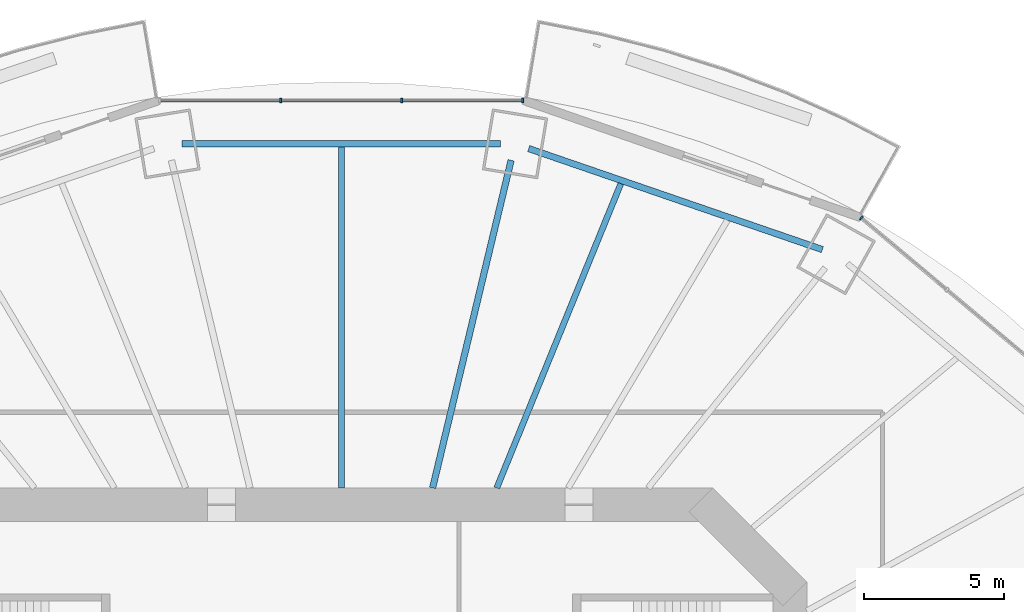
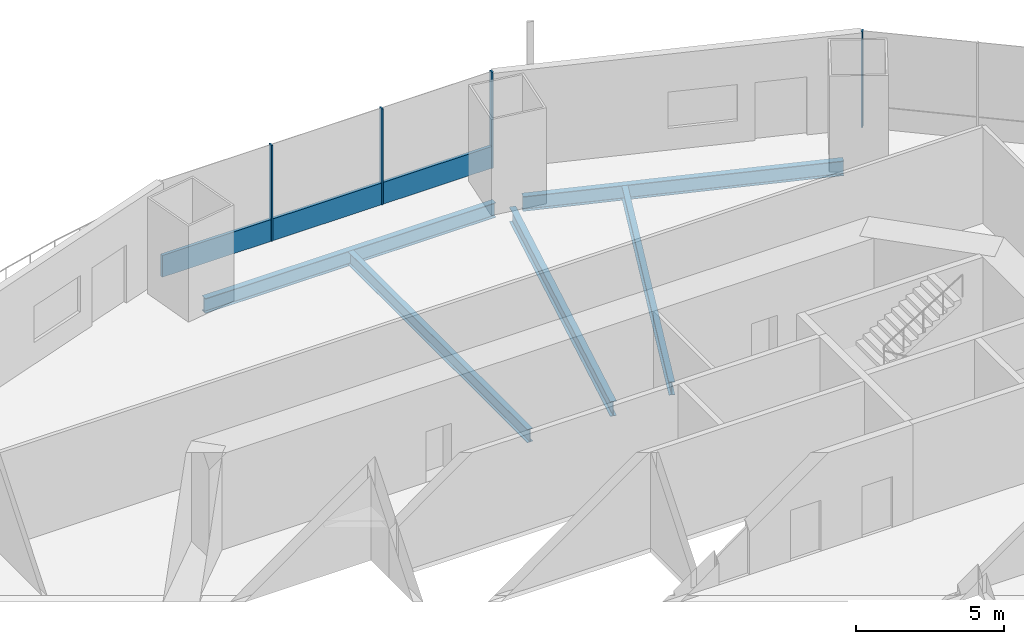
# One storey, part 9 of 20: 5 beams, 5 members, 2 elements without a shape of their own.
"""IFC4 building model written with IfcOpenShell, lengths in metres."""

from ifc_helpers import new_model, si_unit, direction, frame, origin, origin_2d, place, context, subcontext, project, spatial, rectangle, i_section, extrude, material, material_profile, profile_set, type_object, element, aggregate, save


model = new_model("IFC4")

# Units and contexts
model_context = context("Model", 3, precision=1e-05, world=origin(), true_north=direction((0.0, 1.0)))
body_context = subcontext(model_context, "Body", "Model", "MODEL_VIEW")
ifc_project = project(units=[si_unit("LENGTHUNIT", "METRE"), si_unit("AREAUNIT", "SQUARE_METRE"), si_unit("VOLUMEUNIT", "CUBIC_METRE"), si_unit("PLANEANGLEUNIT", "RADIAN"), si_unit("MASSUNIT", "GRAM", prefix="KILO")], contexts=[model_context])

# Site, building, storey
site_placement = place(None, origin())
site = spatial("IfcSite", under=ifc_project, at=site_placement, CompositionType="ELEMENT")
building_placement = place(site_placement, origin())
building = spatial("IfcBuilding", under=site, at=building_placement, Name="Marenthal Gate Tower", CompositionType="ELEMENT")
storey_placement = place(building_placement, frame((0.0, 0.0, 136.75)))
storey = spatial("IfcBuildingStorey", under=building, at=storey_placement, Name="L29", CompositionType="ELEMENT", Elevation=136.75)

# Curtain wall, member
ifc_material_1 = material(Name="Aluminium and glass", Category="aluminium")
curtain_wall_type = type_object("IfcCurtainWallType", Name="Curtain wall typical low", PredefinedType="NOTDEFINED", material=ifc_material_1)
curtain_wall_1_placement = place(storey_placement, origin())
curtain_wall_1 = element("IfcCurtainWall", 1, at=curtain_wall_1_placement, inside=storey, type_object=curtain_wall_type, Name="Curtain wall L29 bay 2", PredefinedType="NOTDEFINED")
ifc_material_2 = material(Name="Aluminium", Category="aluminium")
ifc_material_profile_1 = material_profile(ifc_material_2, rectangle(XDim=0.159912109375, YDim=0.06005859375, at=origin_2d()), Name="60x160 aluminium mullion")
ifc_profile_set_1 = profile_set([ifc_material_profile_1], Name="Aluminium")
member_type_1 = type_object("IfcMemberType", Name="Mullion 60x160 typical low", PredefinedType="MULLION", material=ifc_profile_set_1)
member_1_placement = place(storey_placement, frame((18.546875, 23.22607421875, 0.0), z_axis=(0.0, 0.0, 1.0), x_axis=(-0.642510826857, -0.766276606305, 0.0)))
member_1 = element("IfcMember", 2, at=member_1_placement, type_object=member_type_1, Name="Mullion L29 bay 2.4", PredefinedType="MULLION", context=body_context, shape_type="SweptSolid", body=[
    extrude(rectangle(XDim=0.159912109375, YDim=0.06005859375, at=origin_2d()), origin(), (0.0, 0.0, 1.0), 3.969970703125),
])
aggregate(curtain_wall_1, [member_1])

# Curtain wall, members
curtain_wall_2_placement = place(storey_placement, origin())
curtain_wall_2 = element("IfcCurtainWall", 3, at=curtain_wall_2_placement, inside=storey, type_object=curtain_wall_type, Name="Curtain wall L29 bay 4", PredefinedType="NOTDEFINED")
member_2_placement = place(storey_placement, frame((6.474609375, 27.419921875, 0.0), z_axis=(0.0, 0.0, 1.0), x_axis=(0.0, -1.0, 0.0)))
member_2 = element("IfcMember", 4, at=member_2_placement, type_object=member_type_1, Name="Mullion L29 bay 4.1", PredefinedType="MULLION", context=body_context, shape_type="SweptSolid", body=[
    extrude(rectangle(XDim=0.159912109375, YDim=0.06005859375, at=origin_2d()), origin(), (0.0, 0.0, 1.0), 3.969970703125),
])
member_3_placement = place(storey_placement, frame((2.158203125, 27.419921875, 0.0), z_axis=(0.0, 0.0, 1.0), x_axis=(0.0, -1.0, 0.0)))
member_3 = element("IfcMember", 5, at=member_3_placement, type_object=member_type_1, Name="Mullion L29 bay 4.2", PredefinedType="MULLION", context=body_context, shape_type="SweptSolid", body=[
    extrude(rectangle(XDim=0.159912109375, YDim=0.06005859375, at=origin_2d()), origin(), (0.0, 0.0, 1.0), 3.969970703125),
])
member_4_placement = place(storey_placement, frame((-2.158203125, 27.419921875, 0.0), z_axis=(0.0, 0.0, 1.0), x_axis=(0.0, -1.0, 0.0)))
member_4 = element("IfcMember", 6, at=member_4_placement, type_object=member_type_1, Name="Mullion L29 bay 4.3", PredefinedType="MULLION", context=body_context, shape_type="SweptSolid", body=[
    extrude(rectangle(XDim=0.159912109375, YDim=0.06005859375, at=origin_2d()), origin(), (0.0, 0.0, 1.0), 3.969970703125),
])
ifc_material_3 = material(Name="Aluminium", Category="aluminium")
ifc_material_profile_2 = material_profile(ifc_material_3, rectangle(XDim=0.1201171875, YDim=0.89990234375, at=origin_2d()), Name="120x900 aluminium transom")
ifc_profile_set_2 = profile_set([ifc_material_profile_2], Name="Aluminium")
member_type_2 = type_object("IfcMemberType", Name="Transom 120x900 typical low", PredefinedType="USERDEFINED", material=ifc_profile_set_2)
member_5_placement = place(storey_placement, frame((6.444580078125, 27.419921875, 0.449951171875), z_axis=(-1.0, 0.0, 0.0), x_axis=(0.0, -1.0, 0.0)))
member_5 = element("IfcMember", 7, at=member_5_placement, type_object=member_type_2, Name="Transom L29 bay 4", ObjectType="TRANSOM", PredefinedType="USERDEFINED", context=body_context, shape_type="SweptSolid", body=[
    extrude(rectangle(XDim=0.1201171875, YDim=0.89990234375, at=origin_2d()), origin(), (0.0, 0.0, 1.0), 12.88916015625),
])
aggregate(curtain_wall_2, [member_2, member_3, member_4, member_5])

# Beams
ifc_material_4 = material(Name="Steel S355", Category="steel")
ifc_material_profile_3 = material_profile(ifc_material_4, i_section(OverallWidth=0.2119140625, OverallDepth=0.5439453125, WebThickness=0.01318359375, FlangeThickness=0.021240234375, FilletRadius=0.0126953125, at=origin_2d()), Name="W530X123")
ifc_profile_set_3 = profile_set([ifc_material_profile_3], Name="Steel S355")
beam_type_1 = type_object("IfcBeamType", Name="W530X123 beam", PredefinedType="BEAM", material=ifc_profile_set_3)
beam_1_placement = place(storey_placement, frame((9.9697265625, 24.451171875, -0.451904296875), z_axis=(-0.377553645664, -0.92598771301, 0.0), x_axis=(0.92598771301, -0.377553645664, 0.0)))
element("IfcBeam", 8, at=beam_1_placement, inside=storey, type_object=beam_type_1, Name="BM-L29-21", PredefinedType="BEAM", context=body_context, shape_type="SweptSolid", body=[
    extrude(i_section(OverallWidth=0.2119140625, OverallDepth=0.5439453125, WebThickness=0.01318359375, FlangeThickness=0.021240234375, FilletRadius=0.0126953125, at=origin_2d()), origin(), (0.0, 0.0, 1.0), 11.71826171875),
])
beam_2_placement = place(storey_placement, frame((0.0, 25.755615234375, -0.451904296875), z_axis=(0.0, -1.0, 0.0), x_axis=(1.0, 0.0, 0.0)))
element("IfcBeam", 9, at=beam_2_placement, inside=storey, type_object=beam_type_1, Name="BM-L29-22", PredefinedType="BEAM", context=body_context, shape_type="SweptSolid", body=[
    extrude(i_section(OverallWidth=0.2119140625, OverallDepth=0.5439453125, WebThickness=0.01318359375, FlangeThickness=0.021240234375, FilletRadius=0.0126953125, at=origin_2d()), origin(), (0.0, 0.0, 1.0), 12.155517578125),
])
ifc_material_5 = material(Name="Steel S355", Category="steel")
ifc_material_profile_4 = material_profile(ifc_material_5, i_section(OverallWidth=0.22900390625, OverallDepth=0.612060546875, WebThickness=0.011962890625, FlangeThickness=0.01953125, FilletRadius=0.0126953125, at=origin_2d()), Name="W610X125")
ifc_profile_set_4 = profile_set([ifc_material_profile_4], Name="Steel S355")
beam_type_2 = type_object("IfcBeamType", Name="W610X125 beam", PredefinedType="BEAM", material=ifc_profile_set_4)
beam_3_placement = place(storey_placement, frame((6.05615234375, 25.283935546875, -0.486083984375), z_axis=(-0.232937154271, -0.972491790279, 0.0), x_axis=(0.972491790279, -0.232937154271, 0.0)))
element("IfcBeam", 10, at=beam_3_placement, inside=storey, type_object=beam_type_2, Name="BM-L29-04", PredefinedType="BEAM", context=body_context, shape_type="SweptSolid", body=[
    extrude(i_section(OverallWidth=0.22900390625, OverallDepth=0.612060546875, WebThickness=0.011962890625, FlangeThickness=0.01953125, FilletRadius=0.0126953125, at=origin_2d()), origin(), (0.0, 0.0, 1.0), 12.014404296875),
])
beam_4_placement = place(storey_placement, frame((17.158447265625, 22.099365234375, -0.486083984375), z_axis=(-0.945616285836, 0.325284244871, 0.0), x_axis=(-0.325284244871, -0.945616285836, 0.0)))
element("IfcBeam", 11, at=beam_4_placement, inside=storey, type_object=beam_type_2, Name="BM-L29-43", PredefinedType="BEAM", context=body_context, shape_type="SweptSolid", body=[
    extrude(i_section(OverallWidth=0.22900390625, OverallDepth=0.612060546875, WebThickness=0.011962890625, FlangeThickness=0.01953125, FilletRadius=0.0126953125, at=origin_2d()), origin(), (0.0, 0.0, 1.0), 11.078125),
])
beam_5_placement = place(storey_placement, frame((5.682861328125, 25.8701171875, -0.486083984375), z_axis=(-1.0, 0.0, 0.0), x_axis=(0.0, -1.0, 0.0)))
element("IfcBeam", 12, at=beam_5_placement, inside=storey, type_object=beam_type_2, Name="BM-L29-44", PredefinedType="BEAM", context=body_context, shape_type="SweptSolid", body=[
    extrude(i_section(OverallWidth=0.22900390625, OverallDepth=0.612060546875, WebThickness=0.011962890625, FlangeThickness=0.01953125, FilletRadius=0.0126953125, at=origin_2d()), origin(), (0.0, 0.0, 1.0), 11.36572265625),
])

save(model, "model.ifc")
